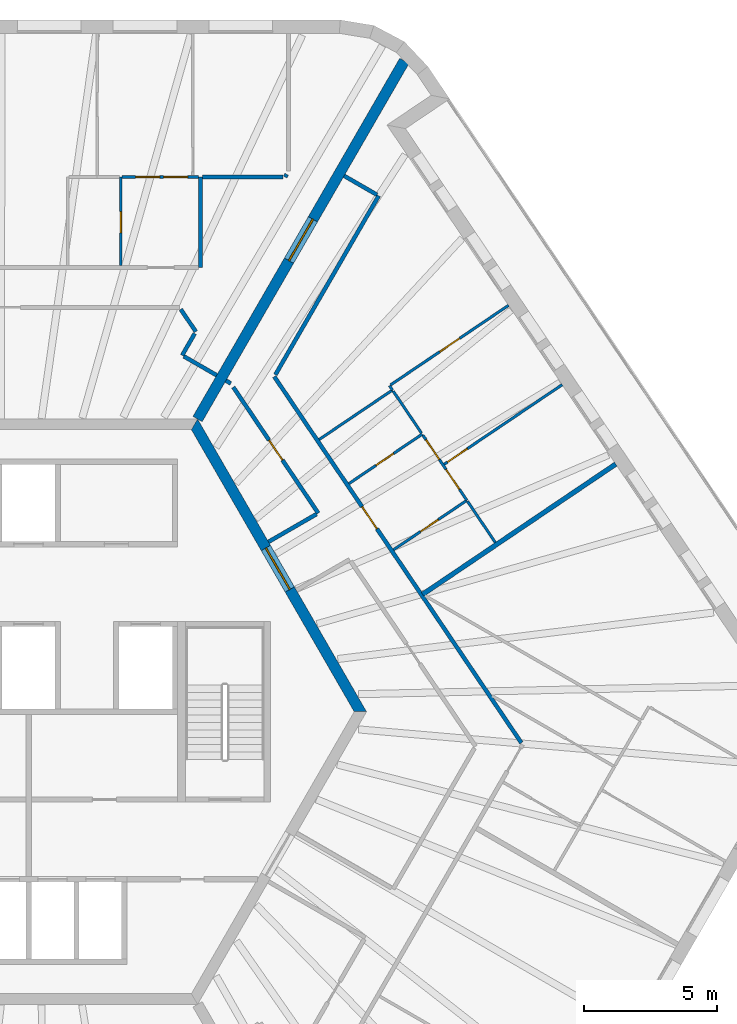
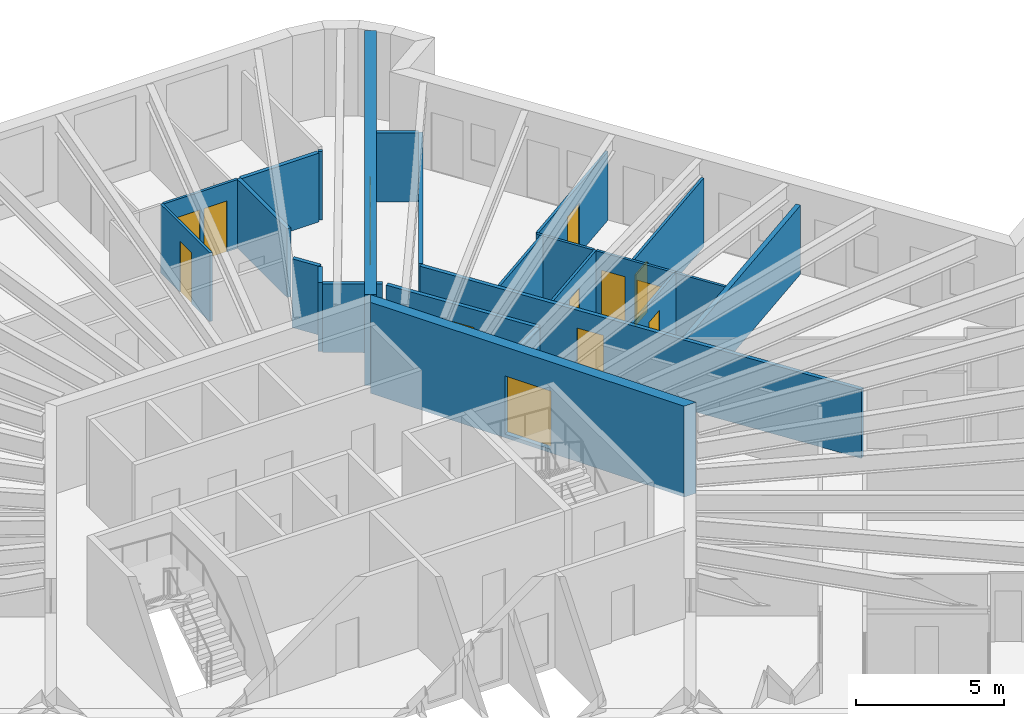
# One storey, part 10 of 12: 26 walls, 13 doors, 13 openings.
"""IFC4 building model written with IfcOpenShell, lengths in metres."""

from ifc_helpers import new_model, si_unit, direction, frame, frame_2d, origin, place, context, subcontext, project, spatial, polyline, rectangle, outline, extrude, material, layer, layer_set, type_object, element, fill, save


model = new_model("IFC4")

# Units and contexts
model_context = context("Model", 3, precision=1e-05, world=origin(), true_north=direction((0.0, 1.0)))
body_context = subcontext(model_context, "Body", "Model", "MODEL_VIEW")
ifc_project = project(units=[si_unit("LENGTHUNIT", "METRE"), si_unit("AREAUNIT", "SQUARE_METRE"), si_unit("VOLUMEUNIT", "CUBIC_METRE"), si_unit("PLANEANGLEUNIT", "RADIAN"), si_unit("MASSUNIT", "GRAM", prefix="KILO")], contexts=[model_context])

# Site, building, storey
site_placement = place(None, origin())
site = spatial("IfcSite", under=ifc_project, at=site_placement, CompositionType="ELEMENT")
building_placement = place(site_placement, origin())
building = spatial("IfcBuilding", under=site, at=building_placement, Name="Tarnside Tower", CompositionType="ELEMENT")
storey_placement = place(building_placement, frame((0.0, 0.0, 334.199951171875)))
storey = spatial("IfcBuildingStorey", under=building, at=storey_placement, Name="L81", CompositionType="ELEMENT", Elevation=334.199951171875)

# Wall, opening, door
ifc_material_1 = material(Name="Gypsum board partition on steel studs", Category="steel")
ifc_layer_1 = layer(ifc_material_1, 0.10009765625)
ifc_layer_set_1 = layer_set([ifc_layer_1], Name="Bathroom wall 100")
wall_type_1 = type_object("IfcWallType", Name="Bathroom wall 100", PredefinedType="PARTITIONING", material=ifc_layer_set_1)
wall_1_placement = place(storey_placement, frame((3.467041015625, 20.10009765625, 0.0), z_axis=(0.0, 0.0, 1.0), x_axis=(0.0, -1.0, 0.0)))
wall_1 = element("IfcWall", 1, at=wall_1_placement, inside=storey, type_object=wall_type_1, Name="Bathroom wall 26089", PredefinedType="PARTITIONING", context=body_context, shape_type="SweptSolid", body=[
    extrude(rectangle(XDim=3.3251953125, YDim=0.10009765625, at=frame_2d((1.66259765625, 0.0))), origin(), (0.0, 0.0, 1.0), 2.837890625),
])
opening_1_placement = place(wall_1_placement, frame((1.300048828125, 0.0, 0.0)))
opening_1 = element("IfcOpeningElement", 2, at=opening_1_placement, cuts=wall_1, Name="Opening D-B1", PredefinedType="OPENING", context=body_context, shape_type="SweptSolid", body=[
    extrude(rectangle(XDim=0.800048828125, YDim=2.10009765625, at=frame_2d((0.39990234375, 1.050048828125))), frame((0.0, 0.06005859375, 0.0), z_axis=(0.0, -1.0, 0.0), x_axis=(1.0, 0.0, 0.0)), (0.0, 0.0, 1.0), 0.1201171875),
])
ifc_material_2 = material(Name="Timber door leaf", Category="wood")
door_type_1 = type_object("IfcDoorType", Name="Bathroom door 800", OperationType="NOTDEFINED", PredefinedType="DOOR", material=ifc_material_2)
door_1_placement = place(opening_1_placement, origin())
door_1 = element("IfcDoor", 3, at=door_1_placement, inside=storey, type_object=door_type_1, Name="Bathroom door 26002", OperationType="SINGLE_SWING_LEFT", OverallHeight=2.10009765625, OverallWidth=0.800048828125, PredefinedType="DOOR", context=body_context, shape_type="SweptSolid", body=[
    extrude(rectangle(XDim=0.800048828125, YDim=2.10009765625, at=frame_2d((0.39990234375, 1.050048828125))), frame((0.0, 0.02490234375, 0.0), z_axis=(0.0, -1.0, 0.0), x_axis=(1.0, 0.0, 0.0)), (0.0, 0.0, 1.0), 0.050048828125),
])
fill(opening_1, door_1)

# Wall
wall_2_placement = place(storey_placement, frame((10.9208984375, 10.231201171875, 0.0), z_axis=(0.0, 0.0, 1.0), x_axis=(0.829010378124, 0.559233218759, 0.0)))
element("IfcWall", 4, at=wall_2_placement, inside=storey, type_object=wall_type_1, Name="Bathroom wall 26162", PredefinedType="PARTITIONING", context=body_context, shape_type="SweptSolid", body=[
    extrude(rectangle(XDim=3.324951171875, YDim=0.10009765625, at=frame_2d((1.66259765625, 0.0))), origin(), (0.0, 0.0, 1.0), 2.837890625),
])

# Wall, opening, door
wall_3_placement = place(storey_placement, frame((13.716796875, 6.086181640625, 0.0), z_axis=(0.0, 0.0, 1.0), x_axis=(0.829067379225, 0.559148710725, 0.0)))
wall_3 = element("IfcWall", 5, at=wall_3_placement, inside=storey, type_object=wall_type_1, Name="Bathroom wall 26163", PredefinedType="PARTITIONING", context=body_context, shape_type="SweptSolid", body=[
    extrude(rectangle(XDim=3.324951171875, YDim=0.10009765625, at=frame_2d((1.66259765625, 0.0))), origin(), (0.0, 0.0, 1.0), 2.837890625),
])
opening_2_placement = place(wall_3_placement, frame((1.22509765625, 0.0, 0.0)))
opening_2 = element("IfcOpeningElement", 6, at=opening_2_placement, cuts=wall_3, Name="Opening D-B1", PredefinedType="OPENING", context=body_context, shape_type="SweptSolid", body=[
    extrude(rectangle(XDim=0.800048828125, YDim=2.10009765625, at=frame_2d((0.39990234375, 1.050048828125))), frame((0.0, 0.06005859375, 0.0), z_axis=(0.0, -1.0, 0.0), x_axis=(1.0, 0.0, 0.0)), (0.0, 0.0, 1.0), 0.1201171875),
])
door_2_placement = place(opening_2_placement, origin())
door_2 = element("IfcDoor", 7, at=door_2_placement, inside=storey, type_object=door_type_1, Name="Bathroom door 26062", OperationType="SINGLE_SWING_RIGHT", OverallHeight=2.10009765625, OverallWidth=0.800048828125, PredefinedType="DOOR", context=body_context, shape_type="SweptSolid", body=[
    extrude(rectangle(XDim=0.800048828125, YDim=2.10009765625, at=frame_2d((0.39990234375, 1.050048828125))), frame((0.0, 0.02490234375, 0.0), z_axis=(0.0, -1.0, 0.0), x_axis=(1.0, 0.0, 0.0)), (0.0, 0.0, 1.0), 0.050048828125),
])
fill(opening_2, door_2)

wall_4_placement = place(storey_placement, frame((14.795654296875, 10.4326171875, 0.0), z_axis=(0.0, 0.0, 1.0), x_axis=(-0.82903334026, -0.559199178055, 0.0)))
wall_4 = element("IfcWall", 8, at=wall_4_placement, inside=storey, type_object=wall_type_1, Name="Bathroom wall 26166", PredefinedType="PARTITIONING", context=body_context, shape_type="SweptSolid", body=[
    extrude(rectangle(XDim=3.324951171875, YDim=0.10009765625, at=frame_2d((1.66259765625, 0.0))), origin(), (0.0, 0.0, 1.0), 2.837890625),
])
opening_3_placement = place(wall_4_placement, frame((1.300048828125, 0.0, 0.0)))
opening_3 = element("IfcOpeningElement", 9, at=opening_3_placement, cuts=wall_4, Name="Opening D-B1", PredefinedType="OPENING", context=body_context, shape_type="SweptSolid", body=[
    extrude(rectangle(XDim=0.800048828125, YDim=2.10009765625, at=frame_2d((0.39990234375, 1.050048828125))), frame((0.0, 0.06005859375, 0.0), z_axis=(0.0, -1.0, 0.0), x_axis=(1.0, 0.0, 0.0)), (0.0, 0.0, 1.0), 0.1201171875),
])
door_3_placement = place(opening_3_placement, origin())
door_3 = element("IfcDoor", 10, at=door_3_placement, inside=storey, type_object=door_type_1, Name="Bathroom door 26069", OperationType="SINGLE_SWING_LEFT", OverallHeight=2.10009765625, OverallWidth=0.800048828125, PredefinedType="DOOR", context=body_context, shape_type="SweptSolid", body=[
    extrude(rectangle(XDim=0.800048828125, YDim=2.10009765625, at=frame_2d((0.39990234375, 1.050048828125))), frame((0.0, 0.02490234375, 0.0), z_axis=(0.0, -1.0, 0.0), x_axis=(1.0, 0.0, 0.0)), (0.0, 0.0, 1.0), 0.050048828125),
])
fill(opening_3, door_3)

# Walls
wall_5_placement = place(storey_placement, frame((17.541259765625, 6.36181640625, 0.0), z_axis=(0.0, 0.0, 1.0), x_axis=(-0.559110227504, 0.829093332201, 0.0)))
element("IfcWall", 11, at=wall_5_placement, inside=storey, type_object=wall_type_1, Name="Bathroom wall 26167", PredefinedType="PARTITIONING", context=body_context, shape_type="SweptSolid", body=[
    extrude(rectangle(XDim=1.86181640625, YDim=0.10009765625, at=frame_2d((0.930908203125, 0.0))), origin(), (0.0, 0.0, 1.0), 2.837890625),
])
wall_6_placement = place(storey_placement, frame((13.705322265625, 12.049072265625, 0.0), z_axis=(0.0, 0.0, 1.0), x_axis=(0.559199178055, -0.82903334026, 0.0)))
element("IfcWall", 12, at=wall_6_placement, inside=storey, type_object=wall_type_1, Name="Bathroom wall 26169", PredefinedType="PARTITIONING", context=body_context, shape_type="SweptSolid", body=[
    extrude(rectangle(XDim=1.900146484375, YDim=0.10009765625, at=frame_2d((0.9501953125, 0.0))), origin(), (0.0, 0.0, 1.0), 2.837890625),
])

# Wall, opening, door
ifc_material_3 = material(Name="Concrete C60/75", Category="concrete")
ifc_layer_2 = layer(ifc_material_3, 0.39990234375)
ifc_layer_set_2 = layer_set([ifc_layer_2], Name="Core wall Z3 400 C60/75")
wall_type_2 = type_object("IfcWallType", Name="Core wall Z3 400 C60/75", PredefinedType="SHEAR", material=ifc_layer_set_2)
wall_7_placement = place(storey_placement, frame((12.470703125, 0.0, -0.14990234375), z_axis=(0.0, 0.0, 1.0), x_axis=(-0.499996419489, 0.866027470984, 0.0)))
wall_7 = element("IfcWall", 13, at=wall_7_placement, inside=storey, type_object=wall_type_2, Name="L81 core wall face 6", PredefinedType="SHEAR", context=body_context, shape_type="SweptSolid", body=[
    extrude(outline(polyline([(-0.115478515625, -0.199951171875), (12.586181640625, -0.199951171875), (12.355224609375, 0.199951171875), (0.115478515625, 0.199951171875), (-0.115478515625, -0.199951171875)])), origin(), (0.0, 0.0, 1.0), 3.75),
])
opening_4_placement = place(wall_7_placement, frame((5.306396484375, 0.0, 0.14990234375)))
opening_4 = element("IfcOpeningElement", 14, at=opening_4_placement, cuts=wall_7, Name="Opening CD-LOB", PredefinedType="OPENING", context=body_context, shape_type="SweptSolid", body=[
    extrude(rectangle(XDim=1.800048828125, YDim=2.39990234375, at=frame_2d((0.89990234375, 1.199951171875))), frame((0.0, 0.2099609375, 0.0), z_axis=(0.0, -1.0, 0.0), x_axis=(1.0, 0.0, 0.0)), (0.0, 0.0, 1.0), 0.419921875),
])
ifc_material_4 = material(Name="Steel fire door", Category="steel")
door_type_2 = type_object("IfcDoorType", Name="Lobby double door FD30S 1800x2400", OperationType="NOTDEFINED", PredefinedType="DOOR", material=ifc_material_4)
door_4_placement = place(opening_4_placement, origin())
door_4 = element("IfcDoor", 15, at=door_4_placement, inside=storey, type_object=door_type_2, Name="L81 core door P2", OperationType="DOUBLE_DOOR_SINGLE_SWING", OverallHeight=2.39990234375, OverallWidth=1.800048828125, PredefinedType="DOOR", context=body_context, shape_type="SweptSolid", body=[
    extrude(rectangle(XDim=1.800048828125, YDim=2.39990234375, at=frame_2d((0.89990234375, 1.199951171875))), frame((0.0, 0.02490234375, 0.0), z_axis=(0.0, -1.0, 0.0), x_axis=(1.0, 0.0, 0.0)), (0.0, 0.0, 1.0), 0.050048828125),
])
fill(opening_4, door_4)

wall_8_placement = place(storey_placement, frame((6.350830078125, 11.0, -0.14990234375), z_axis=(0.0, 0.0, 1.0), x_axis=(0.499998894578, 0.866026041999, 0.0)))
wall_8 = element("IfcWall", 16, at=wall_8_placement, inside=storey, type_object=wall_type_2, Name="L81 spine wall 1", PredefinedType="SHEAR", context=body_context, shape_type="SweptSolid", body=[
    extrude(rectangle(XDim=15.54443359375, YDim=0.39990234375, at=frame_2d((7.772216796875, 0.0))), origin(), (0.0, 0.0, 1.0), 3.75),
])
opening_5_placement = place(wall_8_placement, frame((6.872314453125, 0.0, 0.14990234375)))
opening_5 = element("IfcOpeningElement", 17, at=opening_5_placement, cuts=wall_8, Name="Opening CD-SPN", PredefinedType="OPENING", context=body_context, shape_type="SweptSolid", body=[
    extrude(rectangle(XDim=1.800048828125, YDim=2.39990234375, at=frame_2d((0.89990234375, 1.199951171875))), frame((0.0, 0.2099609375, 0.0), z_axis=(0.0, -1.0, 0.0), x_axis=(1.0, 0.0, 0.0)), (0.0, 0.0, 1.0), 0.419921875),
])
door_type_3 = type_object("IfcDoorType", Name="Spine passage double door FD60 1800x2400", OperationType="NOTDEFINED", PredefinedType="DOOR", material=ifc_material_4)
door_5_placement = place(opening_5_placement, origin())
door_5 = element("IfcDoor", 18, at=door_5_placement, inside=storey, type_object=door_type_3, Name="L81 spine passage door 1", OperationType="DOUBLE_DOOR_SINGLE_SWING", OverallHeight=2.39990234375, OverallWidth=1.800048828125, PredefinedType="DOOR", context=body_context, shape_type="SweptSolid", body=[
    extrude(rectangle(XDim=1.800048828125, YDim=2.39990234375, at=frame_2d((0.89990234375, 1.199951171875))), frame((0.0, 0.02490234375, 0.0), z_axis=(0.0, -1.0, 0.0), x_axis=(1.0, 0.0, 0.0)), (0.0, 0.0, 1.0), 0.050048828125),
])
fill(opening_5, door_5)

# Walls
ifc_layer_3 = layer(ifc_material_1, 0.14990234375)
ifc_layer_set_3 = layer_set([ifc_layer_3], Name="Corridor wall 150 EI 60")
wall_type_3 = type_object("IfcWallType", Name="Corridor wall 150 EI 60", PredefinedType="PARTITIONING", material=ifc_layer_set_3)
wall_9_placement = place(storey_placement, frame((6.467041015625, 20.10009765625, 0.0), z_axis=(0.0, 0.0, 1.0), x_axis=(0.0, -1.0, 0.0)))
element("IfcWall", 19, at=wall_9_placement, inside=storey, type_object=wall_type_3, Name="Corridor wall 26002", PredefinedType="PARTITIONING", context=body_context, shape_type="SweptSolid", body=[
    extrude(rectangle(XDim=3.400146484375, YDim=0.14990234375, at=frame_2d((1.7001953125, 0.0))), origin(), (0.0, 0.0, 1.0), 2.837890625),
])
wall_10_placement = place(storey_placement, frame((9.7001953125, 20.201171875, 0.0), z_axis=(0.0, 0.0, 1.0), x_axis=(-0.49996389635, -0.866046247233, 0.0)))
element("IfcWall", 20, at=wall_10_placement, inside=storey, type_object=wall_type_3, Name="Corridor wall 26006", PredefinedType="PARTITIONING", context=body_context, shape_type="SweptSolid", body=[
    extrude(rectangle(XDim=0.11669921875, YDim=0.14990234375, at=frame_2d((0.058349609375, 0.0))), origin(), (0.0, 0.0, 1.0), 2.837890625),
])
wall_11_placement = place(storey_placement, frame((9.55517578125, 20.10009765625, 0.0), z_axis=(0.0, 0.0, 1.0), x_axis=(-1.0, 0.0, 0.0)))
element("IfcWall", 21, at=wall_11_placement, inside=storey, type_object=wall_type_3, Name="Corridor wall 26007", PredefinedType="PARTITIONING", context=body_context, shape_type="SweptSolid", body=[
    extrude(rectangle(XDim=3.0166015625, YDim=0.14990234375, at=frame_2d((1.50830078125, 0.0))), origin(), (0.0, 0.0, 1.0), 2.837890625),
])
wall_12_placement = place(storey_placement, frame((5.72021484375, 15.125, 0.0), z_axis=(0.0, 0.0, 1.0), x_axis=(0.559095340605, -0.829103371187, 0.0)))
element("IfcWall", 22, at=wall_12_placement, inside=storey, type_object=wall_type_3, Name="Corridor wall 26020", PredefinedType="PARTITIONING", context=body_context, shape_type="SweptSolid", body=[
    extrude(rectangle(XDim=1.010986328125, YDim=0.14990234375, at=frame_2d((0.50537109375, 0.0))), origin(), (0.0, 0.0, 1.0), 2.837890625),
])
wall_13_placement = place(storey_placement, frame((6.243896484375, 14.214599609375, 0.0), z_axis=(0.0, 0.0, 1.0), x_axis=(-0.499998034377, -0.866026538634, 0.0)))
element("IfcWall", 23, at=wall_13_placement, inside=storey, type_object=wall_type_3, Name="Corridor wall 26021", PredefinedType="PARTITIONING", context=body_context, shape_type="SweptSolid", body=[
    extrude(rectangle(XDim=0.94580078125, YDim=0.14990234375, at=frame_2d((0.472900390625, 0.0))), origin(), (0.0, 0.0, 1.0), 2.837890625),
])
wall_14_placement = place(storey_placement, frame((5.8359375, 13.358154296875, 0.0), z_axis=(0.0, 0.0, 1.0), x_axis=(0.865988727248, -0.500063520245, 0.0)))
element("IfcWall", 24, at=wall_14_placement, inside=storey, type_object=wall_type_3, Name="Corridor wall 26022", PredefinedType="PARTITIONING", context=body_context, shape_type="SweptSolid", body=[
    extrude(rectangle(XDim=1.425048828125, YDim=0.14990234375, at=frame_2d((0.71240234375, 0.0))), origin(), (0.0, 0.0, 1.0), 2.837890625),
])

# Wall, opening, door
wall_15_placement = place(storey_placement, frame((18.52099609375, -1.170654296875, 0.0), z_axis=(0.0, 0.0, 1.0), x_axis=(-0.559191021435, 0.829038842001, 0.0)))
wall_15 = element("IfcWall", 25, at=wall_15_placement, inside=storey, type_object=wall_type_3, Name="Corridor wall 26063", PredefinedType="PARTITIONING", context=body_context, shape_type="SweptSolid", body=[
    extrude(rectangle(XDim=16.60546875, YDim=0.14990234375, at=frame_2d((8.302734375, 0.0))), origin(), (0.0, 0.0, 1.0), 2.837890625),
])
opening_6_placement = place(wall_15_placement, frame((9.70263671875, 0.0, 0.0)))
opening_6 = element("IfcOpeningElement", 26, at=opening_6_placement, cuts=wall_15, Name="Opening D-E1", PredefinedType="OPENING", context=body_context, shape_type="SweptSolid", body=[
    extrude(rectangle(XDim=1.0, YDim=2.10009765625, at=frame_2d((0.5, 1.050048828125))), frame((0.0, 0.0849609375, 0.0), z_axis=(0.0, -1.0, 0.0), x_axis=(1.0, 0.0, 0.0)), (0.0, 0.0, 1.0), 0.169921875),
])
door_type_4 = type_object("IfcDoorType", Name="Unit entrance door 1000 FD30S", OperationType="NOTDEFINED", PredefinedType="DOOR", material=ifc_material_2)
door_6_placement = place(opening_6_placement, origin())
door_6 = element("IfcDoor", 27, at=door_6_placement, inside=storey, type_object=door_type_4, Name="Unit door 26061", OperationType="SINGLE_SWING_RIGHT", OverallHeight=2.10009765625, OverallWidth=1.0, PredefinedType="DOOR", context=body_context, shape_type="SweptSolid", body=[
    extrude(rectangle(XDim=1.0, YDim=2.10009765625, at=frame_2d((0.5, 1.050048828125))), frame((0.0, 0.02490234375, 0.0), z_axis=(0.0, -1.0, 0.0), x_axis=(1.0, 0.0, 0.0)), (0.0, 0.0, 1.0), 0.050048828125),
])
fill(opening_6, door_6)

# Walls
wall_16_placement = place(storey_placement, frame((9.277099609375, 12.668212890625, 0.0), z_axis=(0.0, 0.0, 1.0), x_axis=(0.499991012162, 0.866030592853, 0.0)))
element("IfcWall", 28, at=wall_16_placement, inside=storey, type_object=wall_type_3, Name="Corridor wall 26067", PredefinedType="PARTITIONING", context=body_context, shape_type="SweptSolid", body=[
    extrude(rectangle(XDim=7.764404296875, YDim=0.14990234375, at=frame_2d((3.88232421875, 0.0))), origin(), (0.0, 0.0, 1.0), 2.837890625),
])
wall_17_placement = place(storey_placement, frame((13.09423828125, 19.429931640625, 0.0), z_axis=(0.0, 0.0, 1.0), x_axis=(-0.866062911188, 0.499935029643, 0.0)))
element("IfcWall", 29, at=wall_17_placement, inside=storey, type_object=wall_type_3, Name="Corridor wall 26068", PredefinedType="PARTITIONING", context=body_context, shape_type="SweptSolid", body=[
    extrude(rectangle(XDim=1.425048828125, YDim=0.14990234375, at=frame_2d((0.71240234375, 0.0))), origin(), (0.0, 0.0, 1.0), 2.837890625),
])
wall_18_placement = place(storey_placement, frame((7.416259765625, 12.445556640625, 0.0), z_axis=(0.0, 0.0, 1.0), x_axis=(0.866378867349, -0.499387282788, 0.0)))
element("IfcWall", 30, at=wall_18_placement, inside=storey, type_object=wall_type_3, Name="Corridor wall 26081", PredefinedType="PARTITIONING", context=body_context, shape_type="SweptSolid", body=[
    extrude(rectangle(XDim=0.210205078125, YDim=0.14990234375, at=frame_2d((0.10498046875, 0.0))), origin(), (0.0, 0.0, 1.0), 2.837890625),
])

# Wall, opening, door
wall_19_placement = place(storey_placement, frame((7.69384765625, 12.19873046875, 0.0), z_axis=(0.0, 0.0, 1.0), x_axis=(0.55920112739, -0.829032025392, 0.0)))
wall_19 = element("IfcWall", 31, at=wall_19_placement, inside=storey, type_object=wall_type_3, Name="Corridor wall 26082", PredefinedType="PARTITIONING", context=body_context, shape_type="SweptSolid", body=[
    extrude(rectangle(XDim=5.710205078125, YDim=0.14990234375, at=frame_2d((2.85498046875, 0.0))), origin(), (0.0, 0.0, 1.0), 2.837890625),
])
opening_7_placement = place(wall_19_placement, frame((2.405029296875, 0.0, 0.0)))
opening_7 = element("IfcOpeningElement", 32, at=opening_7_placement, cuts=wall_19, Name="Opening D-S1", PredefinedType="OPENING", context=body_context, shape_type="SweptSolid", body=[
    extrude(rectangle(XDim=0.89990234375, YDim=2.10009765625, at=frame_2d((0.449951171875, 1.050048828125))), frame((0.0, 0.0849609375, 0.0), z_axis=(0.0, -1.0, 0.0), x_axis=(1.0, 0.0, 0.0)), (0.0, 0.0, 1.0), 0.169921875),
])
door_type_5 = type_object("IfcDoorType", Name="Service room door 900 FD30S", OperationType="NOTDEFINED", PredefinedType="DOOR", material=ifc_material_2)
door_7_placement = place(opening_7_placement, origin())
door_7 = element("IfcDoor", 33, at=door_7_placement, inside=storey, type_object=door_type_5, Name="Service door 26077", OperationType="SINGLE_SWING_RIGHT", OverallHeight=2.10009765625, OverallWidth=0.89990234375, PredefinedType="DOOR", context=body_context, shape_type="SweptSolid", body=[
    extrude(rectangle(XDim=0.89990234375, YDim=2.10009765625, at=frame_2d((0.449951171875, 1.050048828125))), frame((0.0, 0.02490234375, 0.0), z_axis=(0.0, -1.0, 0.0), x_axis=(1.0, 0.0, 0.0)), (0.0, 0.0, 1.0), 0.050048828125),
])
fill(opening_7, door_7)

# Walls
wall_20_placement = place(storey_placement, frame((10.822021484375, 7.42724609375, 0.0), z_axis=(0.0, 0.0, 1.0), x_axis=(-0.866016009309, -0.500016271356, 0.0)))
element("IfcWall", 34, at=wall_20_placement, inside=storey, type_object=wall_type_3, Name="Corridor wall 26083", PredefinedType="PARTITIONING", context=body_context, shape_type="SweptSolid", body=[
    extrude(rectangle(XDim=2.0859375, YDim=0.14990234375, at=frame_2d((1.04296875, 0.0))), origin(), (0.0, 0.0, 1.0), 2.837890625),
])
ifc_layer_4 = layer(ifc_material_1, 0.179931640625)
ifc_layer_set_4 = layer_set([ifc_layer_4], Name="Demising wall 180 EI 60")
wall_type_4 = type_object("IfcWallType", Name="Demising wall 180 EI 60", PredefinedType="PARTITIONING", material=ifc_layer_set_4)
wall_21_placement = place(storey_placement, frame((22.068603515625, 9.306884765625, 0.0), z_axis=(0.0, 0.0, 1.0), x_axis=(-0.829040270775, -0.559188903174, 0.0)))
element("IfcWall", 35, at=wall_21_placement, inside=storey, type_object=wall_type_4, Name="Demising wall 26151", PredefinedType="PARTITIONING", context=body_context, shape_type="SweptSolid", body=[
    extrude(rectangle(XDim=8.7578125, YDim=0.179931640625, at=frame_2d((4.37890625, 0.0))), origin(), (0.0, 0.0, 1.0), 2.837890625),
])

# Wall, openings, doors
ifc_layer_5 = layer(ifc_material_1, 0.10009765625)
ifc_layer_set_5 = layer_set([ifc_layer_5], Name="Partition 100")
wall_type_5 = type_object("IfcWallType", Name="Partition 100", PredefinedType="PARTITIONING", material=ifc_layer_set_5)
wall_22_placement = place(storey_placement, frame((6.39404296875, 20.10009765625, 0.0), z_axis=(0.0, 0.0, 1.0), x_axis=(-1.0, 0.0, 0.0)))
wall_22 = element("IfcWall", 36, at=wall_22_placement, inside=storey, type_object=wall_type_5, Name="Partition wall 26090", PredefinedType="PARTITIONING", context=body_context, shape_type="SweptSolid", body=[
    extrude(rectangle(XDim=2.87890625, YDim=0.10009765625, at=frame_2d((1.439453125, 0.0))), origin(), (0.0, 0.0, 1.0), 2.837890625),
])
opening_8_placement = place(wall_22_placement, frame((0.4189453125, 0.0, 0.0)))
opening_8 = element("IfcOpeningElement", 37, at=opening_8_placement, cuts=wall_22, Name="Opening D-I1", PredefinedType="OPENING", context=body_context, shape_type="SweptSolid", body=[
    extrude(rectangle(XDim=0.89990234375, YDim=2.10009765625, at=frame_2d((0.449951171875, 1.050048828125))), frame((0.0, 0.06005859375, 0.0), z_axis=(0.0, -1.0, 0.0), x_axis=(1.0, 0.0, 0.0)), (0.0, 0.0, 1.0), 0.1201171875),
])
opening_9_placement = place(wall_22_placement, frame((1.472900390625, 0.0, 0.0)))
opening_9 = element("IfcOpeningElement", 38, at=opening_9_placement, cuts=wall_22, Name="Opening D-I1", PredefinedType="OPENING", context=body_context, shape_type="SweptSolid", body=[
    extrude(rectangle(XDim=0.89990234375, YDim=2.10009765625, at=frame_2d((0.449951171875, 1.050048828125))), frame((0.0, 0.06005859375, 0.0), z_axis=(0.0, -1.0, 0.0), x_axis=(1.0, 0.0, 0.0)), (0.0, 0.0, 1.0), 0.1201171875),
])
door_type_6 = type_object("IfcDoorType", Name="Internal door 900", OperationType="NOTDEFINED", PredefinedType="DOOR", material=ifc_material_2)
door_8_placement = place(opening_8_placement, origin())
door_8 = element("IfcDoor", 39, at=door_8_placement, inside=storey, type_object=door_type_6, Name="Internal door 26005", OperationType="SINGLE_SWING_LEFT", OverallHeight=2.10009765625, OverallWidth=0.89990234375, PredefinedType="DOOR", context=body_context, shape_type="SweptSolid", body=[
    extrude(rectangle(XDim=0.89990234375, YDim=2.10009765625, at=frame_2d((0.449951171875, 1.050048828125))), frame((0.0, 0.02490234375, 0.0), z_axis=(0.0, -1.0, 0.0), x_axis=(1.0, 0.0, 0.0)), (0.0, 0.0, 1.0), 0.050048828125),
])
fill(opening_8, door_8)
door_9_placement = place(opening_9_placement, origin())
door_9 = element("IfcDoor", 40, at=door_9_placement, inside=storey, type_object=door_type_6, Name="Internal door 26009", OperationType="SINGLE_SWING_LEFT", OverallHeight=2.10009765625, OverallWidth=0.89990234375, PredefinedType="DOOR", context=body_context, shape_type="SweptSolid", body=[
    extrude(rectangle(XDim=0.89990234375, YDim=2.10009765625, at=frame_2d((0.449951171875, 1.050048828125))), frame((0.0, 0.02490234375, 0.0), z_axis=(0.0, -1.0, 0.0), x_axis=(1.0, 0.0, 0.0)), (0.0, 0.0, 1.0), 0.050048828125),
])
fill(opening_9, door_9)

# Wall
wall_23_placement = place(storey_placement, frame((13.678466796875, 12.0888671875, 0.0), z_axis=(0.0, 0.0, 1.0), x_axis=(-0.559431350648, 0.828876688001, 0.0)))
element("IfcWall", 41, at=wall_23_placement, inside=storey, type_object=wall_type_5, Name="Partition wall 26160", PredefinedType="PARTITIONING", context=body_context, shape_type="SweptSolid", body=[
    extrude(rectangle(XDim=0.2021484375, YDim=0.10009765625, at=frame_2d((0.10107421875, 0.0))), origin(), (0.0, 0.0, 1.0), 2.837890625),
])

# Wall, opening, door
wall_24_placement = place(storey_placement, frame((13.60693359375, 12.284423828125, 0.0), z_axis=(0.0, 0.0, 1.0), x_axis=(0.829033261565, 0.559199294722, 0.0)))
wall_24 = element("IfcWall", 42, at=wall_24_placement, inside=storey, type_object=wall_type_5, Name="Partition wall 26161", PredefinedType="PARTITIONING", context=body_context, shape_type="SweptSolid", body=[
    extrude(rectangle(XDim=5.349853515625, YDim=0.10009765625, at=frame_2d((2.6748046875, 0.0))), origin(), (0.0, 0.0, 1.0), 2.837890625),
])
opening_10_placement = place(wall_24_placement, frame((2.22509765625, 0.0, 0.0)))
opening_10 = element("IfcOpeningElement", 43, at=opening_10_placement, cuts=wall_24, Name="Opening D-I1", PredefinedType="OPENING", context=body_context, shape_type="SweptSolid", body=[
    extrude(rectangle(XDim=0.89990234375, YDim=2.10009765625, at=frame_2d((0.449951171875, 1.050048828125))), frame((0.0, 0.06005859375, 0.0), z_axis=(0.0, -1.0, 0.0), x_axis=(1.0, 0.0, 0.0)), (0.0, 0.0, 1.0), 0.1201171875),
])
door_10_placement = place(opening_10_placement, origin())
door_10 = element("IfcDoor", 44, at=door_10_placement, inside=storey, type_object=door_type_6, Name="Internal door 26071", OperationType="SINGLE_SWING_RIGHT", OverallHeight=2.10009765625, OverallWidth=0.89990234375, PredefinedType="DOOR", context=body_context, shape_type="SweptSolid", body=[
    extrude(rectangle(XDim=0.89990234375, YDim=2.10009765625, at=frame_2d((0.449951171875, 1.050048828125))), frame((0.0, 0.02490234375, 0.0), z_axis=(0.0, -1.0, 0.0), x_axis=(1.0, 0.0, 0.0)), (0.0, 0.0, 1.0), 0.050048828125),
])
fill(opening_10, door_10)

# Wall, openings, doors
wall_25_placement = place(storey_placement, frame((16.474365234375, 7.94384765625, 0.0), z_axis=(0.0, 0.0, 1.0), x_axis=(-0.559193191328, 0.829037378393, 0.0)))
wall_25 = element("IfcWall", 45, at=wall_25_placement, inside=storey, type_object=wall_type_5, Name="Partition wall 26164", PredefinedType="PARTITIONING", context=body_context, shape_type="SweptSolid", body=[
    extrude(rectangle(XDim=2.9541015625, YDim=0.10009765625, at=frame_2d((1.47705078125, 0.0))), origin(), (0.0, 0.0, 1.0), 2.837890625),
])
opening_11_placement = place(wall_25_placement, frame((0.501953125, 0.0, 0.0)))
opening_11 = element("IfcOpeningElement", 46, at=opening_11_placement, cuts=wall_25, Name="Opening D-I1", PredefinedType="OPENING", context=body_context, shape_type="SweptSolid", body=[
    extrude(rectangle(XDim=0.89990234375, YDim=2.10009765625, at=frame_2d((0.449951171875, 1.050048828125))), frame((0.0, 0.06005859375, 0.0), z_axis=(0.0, -1.0, 0.0), x_axis=(1.0, 0.0, 0.0)), (0.0, 0.0, 1.0), 0.1201171875),
])
opening_12_placement = place(wall_25_placement, frame((1.85205078125, 0.0, 0.0)))
opening_12 = element("IfcOpeningElement", 47, at=opening_12_placement, cuts=wall_25, Name="Opening D-I1", PredefinedType="OPENING", context=body_context, shape_type="SweptSolid", body=[
    extrude(rectangle(XDim=0.89990234375, YDim=2.10009765625, at=frame_2d((0.449951171875, 1.050048828125))), frame((0.0, 0.06005859375, 0.0), z_axis=(0.0, -1.0, 0.0), x_axis=(1.0, 0.0, 0.0)), (0.0, 0.0, 1.0), 0.1201171875),
])
door_11_placement = place(opening_11_placement, origin())
door_11 = element("IfcDoor", 48, at=door_11_placement, inside=storey, type_object=door_type_6, Name="Internal door 26064", OperationType="SINGLE_SWING_LEFT", OverallHeight=2.10009765625, OverallWidth=0.89990234375, PredefinedType="DOOR", context=body_context, shape_type="SweptSolid", body=[
    extrude(rectangle(XDim=0.89990234375, YDim=2.10009765625, at=frame_2d((0.449951171875, 1.050048828125))), frame((0.0, 0.02490234375, 0.0), z_axis=(0.0, -1.0, 0.0), x_axis=(1.0, 0.0, 0.0)), (0.0, 0.0, 1.0), 0.050048828125),
])
fill(opening_11, door_11)
door_12_placement = place(opening_12_placement, origin())
door_12 = element("IfcDoor", 49, at=door_12_placement, inside=storey, type_object=door_type_6, Name="Internal door 26068", OperationType="SINGLE_SWING_RIGHT", OverallHeight=2.10009765625, OverallWidth=0.89990234375, PredefinedType="DOOR", context=body_context, shape_type="SweptSolid", body=[
    extrude(rectangle(XDim=0.89990234375, YDim=2.10009765625, at=frame_2d((0.449951171875, 1.050048828125))), frame((0.0, 0.02490234375, 0.0), z_axis=(0.0, -1.0, 0.0), x_axis=(1.0, 0.0, 0.0)), (0.0, 0.0, 1.0), 0.050048828125),
])
fill(opening_12, door_12)

# Wall, opening, door
wall_26_placement = place(storey_placement, frame((20.055419921875, 12.29150390625, 0.0), z_axis=(0.0, 0.0, 1.0), x_axis=(-0.829033261565, -0.559199294722, 0.0)))
wall_26 = element("IfcWall", 50, at=wall_26_placement, inside=storey, type_object=wall_type_5, Name="Partition wall 26168", PredefinedType="PARTITIONING", context=body_context, shape_type="SweptSolid", body=[
    extrude(rectangle(XDim=5.349853515625, YDim=0.10009765625, at=frame_2d((2.6748046875, 0.0))), origin(), (0.0, 0.0, 1.0), 2.837890625),
])
opening_13_placement = place(wall_26_placement, frame((4.300048828125, 0.0, 0.0)))
opening_13 = element("IfcOpeningElement", 51, at=opening_13_placement, cuts=wall_26, Name="Opening D-I1", PredefinedType="OPENING", context=body_context, shape_type="SweptSolid", body=[
    extrude(rectangle(XDim=0.89990234375, YDim=2.10009765625, at=frame_2d((0.449951171875, 1.050048828125))), frame((0.0, 0.06005859375, 0.0), z_axis=(0.0, -1.0, 0.0), x_axis=(1.0, 0.0, 0.0)), (0.0, 0.0, 1.0), 0.1201171875),
])
door_13_placement = place(opening_13_placement, origin())
door_13 = element("IfcDoor", 52, at=door_13_placement, inside=storey, type_object=door_type_6, Name="Internal door 26067", OperationType="SINGLE_SWING_RIGHT", OverallHeight=2.10009765625, OverallWidth=0.89990234375, PredefinedType="DOOR", context=body_context, shape_type="SweptSolid", body=[
    extrude(rectangle(XDim=0.89990234375, YDim=2.10009765625, at=frame_2d((0.449951171875, 1.050048828125))), frame((0.0, 0.02490234375, 0.0), z_axis=(0.0, -1.0, 0.0), x_axis=(1.0, 0.0, 0.0)), (0.0, 0.0, 1.0), 0.050048828125),
])
fill(opening_13, door_13)

save(model, "model.ifc")
